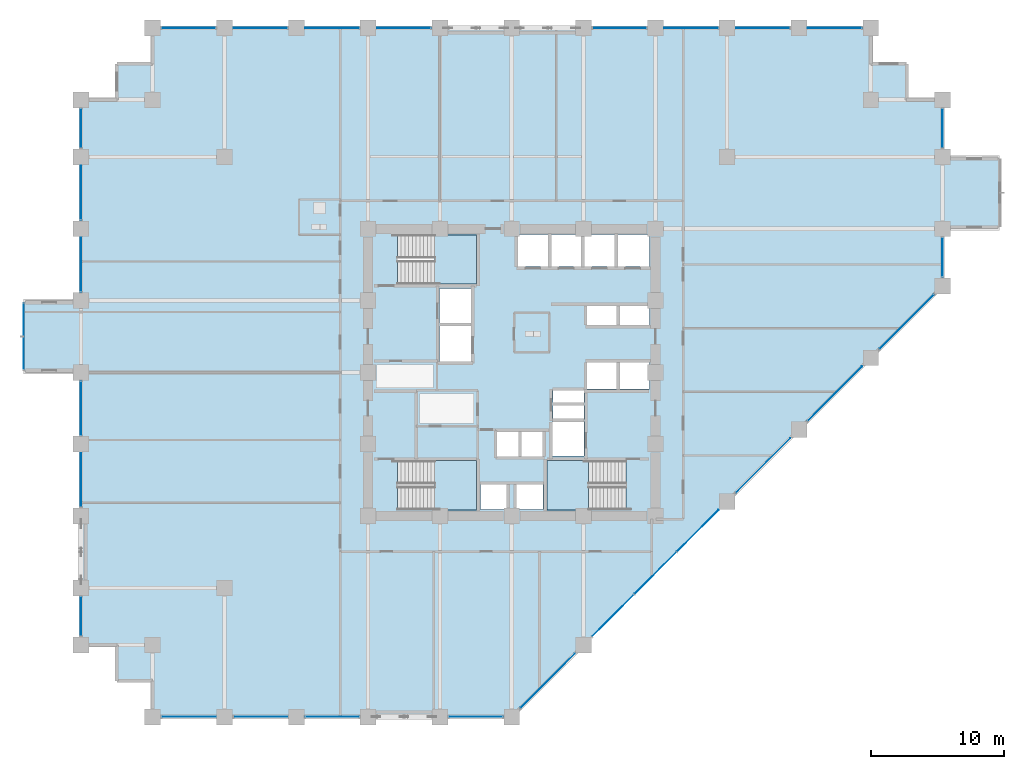
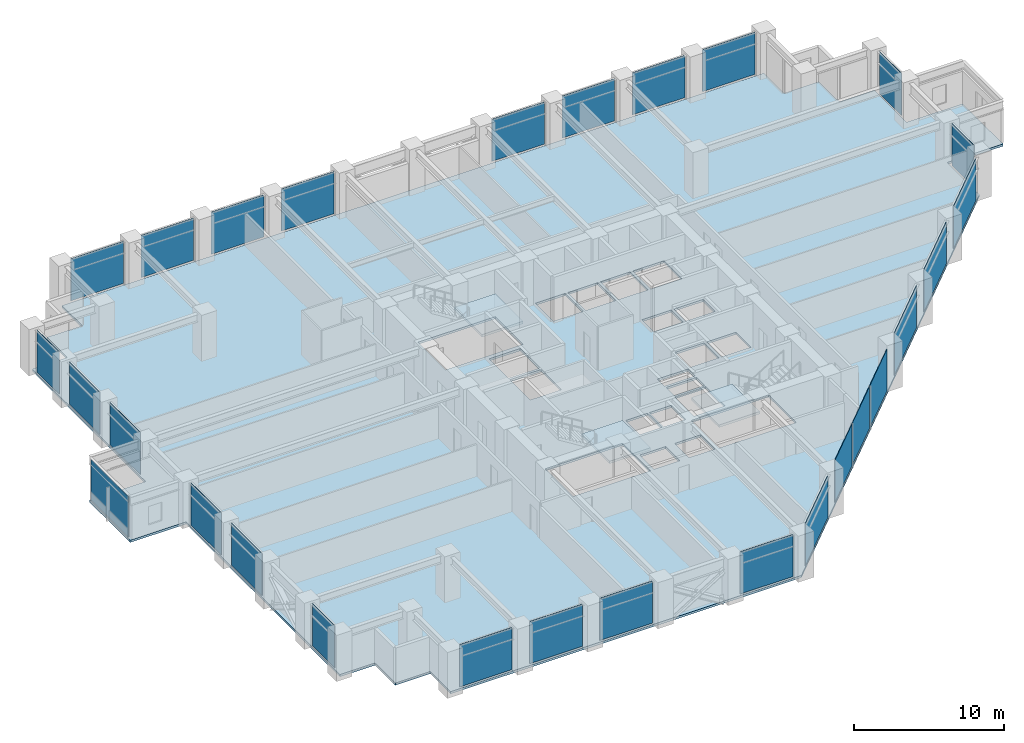
# One storey, part 19 of 28: 28 plates, 4 slabs, 14 elements without a shape of their own.
"""IFC4 building model written with IfcOpenShell, lengths in metres."""

from ifc_helpers import new_model, si_unit, direction, frame, frame_2d, origin, place, context, subcontext, project, spatial, polyline, rectangle, outline, extrude, material, layer, layer_set, type_object, element, aggregate, save


model = new_model("IFC4")

# Units and contexts
model_context = context("Model", 3, precision=1e-05, world=origin(), true_north=direction((0.0, 1.0)))
body_context = subcontext(model_context, "Body", "Model", "MODEL_VIEW")
ifc_project = project(units=[si_unit("LENGTHUNIT", "METRE"), si_unit("AREAUNIT", "SQUARE_METRE"), si_unit("VOLUMEUNIT", "CUBIC_METRE"), si_unit("PLANEANGLEUNIT", "RADIAN"), si_unit("MASSUNIT", "GRAM", prefix="KILO")], contexts=[model_context])

# Site, building, storey
site_placement = place(None, origin())
site = spatial("IfcSite", under=ifc_project, at=site_placement, CompositionType="ELEMENT")
building_placement = place(site_placement, origin())
building = spatial("IfcBuilding", under=site, at=building_placement, Name="Surkhivell Harbour Commons", CompositionType="ELEMENT")
storey_placement = place(building_placement, frame((0.0, 0.0, 67.5)))
storey = spatial("IfcBuildingStorey", under=building, at=storey_placement, Name="L17", CompositionType="ELEMENT", Elevation=67.5)

# Curtain wall, plate
ifc_material_1 = material(Name="Anodised pale-metal aluminium and insulated glazing", Category="aluminium")
ifc_layer_1 = layer(ifc_material_1, 0.1650390625)
ifc_layer_set_1 = layer_set([ifc_layer_1], Name="Anodised pale-metal aluminium and insulated glazing")
curtain_wall_type_1 = type_object("IfcCurtainWallType", Name="CW-SYS-BOX", PredefinedType="NOTDEFINED", material=ifc_layer_set_1)
curtain_wall_1_placement = place(storey_placement, origin())
curtain_wall_1 = element("IfcCurtainWall", 1, at=curtain_wall_1_placement, inside=storey, type_object=curtain_wall_type_1, Name="L17 Curtain Wall CW-L17-BOX02", PredefinedType="NOTDEFINED")
ifc_material_2 = material(Name="Triple-glazed bay-cluster vision glass", Category="glass")
ifc_layer_2 = layer(ifc_material_2, 0.028076171875)
ifc_layer_set_2 = layer_set([ifc_layer_2], Name="Triple-glazed bay-cluster vision glass")
plate_type_1 = type_object("IfcPlateType", Name="CWP-GLZ-28", PredefinedType="CURTAIN_PANEL", material=ifc_layer_set_2)
plate_1_placement = place(storey_placement, frame((-36.699951171875, 0.219970703125, 0.1298828125), z_axis=(0.0, 0.0, 1.0), x_axis=(0.0, 1.0, 0.0)))
plate_1 = element("IfcPlate", 2, at=plate_1_placement, type_object=plate_type_1, Name="CW-BOX panel 1.1", PredefinedType="CURTAIN_PANEL", context=body_context, shape_type="SweptSolid", body=[
    extrude(rectangle(XDim=4.9599609375, YDim=0.028076171875, at=frame_2d((2.47998046875, 0.0))), origin(), (0.0, 0.0, 1.0), 3.31005859375),
])
aggregate(curtain_wall_1, [plate_1])

# Curtain wall, plates
ifc_layer_3 = layer(ifc_material_1, 0.219970703125)
ifc_layer_set_3 = layer_set([ifc_layer_3], Name="Anodised pale-metal aluminium and insulated glazing")
curtain_wall_type_2 = type_object("IfcCurtainWallType", Name="CW-SYS-Z1", PredefinedType="NOTDEFINED", material=ifc_layer_set_3)
curtain_wall_2_placement = place(storey_placement, origin())
curtain_wall_2 = element("IfcCurtainWall", 3, at=curtain_wall_2_placement, inside=storey, type_object=curtain_wall_type_2, Name="L17 Curtain Wall CW-L17-E00S1", PredefinedType="NOTDEFINED")
ifc_material_3 = material(Name="Double-silver low-E laminated vision glass", Category="glass")
ifc_layer_4 = layer(ifc_material_3, 0.031982421875)
ifc_layer_set_4 = layer_set([ifc_layer_4], Name="Double-silver low-E laminated vision glass")
plate_type_2 = type_object("IfcPlateType", Name="CWP-GLZ-32", PredefinedType="CURTAIN_PANEL", material=ifc_layer_set_4)
plate_2_placement = place(storey_placement, frame((-26.322998046875, -25.89990234375, 0.14990234375), z_axis=(0.0, 0.0, 1.0), x_axis=(1.0, 0.0, 0.0)))
plate_2 = element("IfcPlate", 4, at=plate_2_placement, type_object=plate_type_2, Name="CW-Z1 panel 1.1", PredefinedType="CURTAIN_PANEL", context=body_context, shape_type="SweptSolid", body=[
    extrude(rectangle(XDim=4.0458984375, YDim=0.031982421875, at=frame_2d((2.02294921875, 0.0))), origin(), (0.0, 0.0, 1.0), 3.420166015625),
])
plate_3_placement = place(storey_placement, frame((-20.923095703125, -25.89990234375, 0.14990234375), z_axis=(0.0, 0.0, 1.0), x_axis=(1.0, 0.0, 0.0)))
plate_3 = element("IfcPlate", 5, at=plate_3_placement, type_object=plate_type_2, Name="CW-Z1 panel 2.1", PredefinedType="CURTAIN_PANEL", context=body_context, shape_type="SweptSolid", body=[
    extrude(rectangle(XDim=4.046142578125, YDim=0.031982421875, at=frame_2d((2.02294921875, 0.0))), origin(), (0.0, 0.0, 1.0), 3.420166015625),
])
plate_4_placement = place(storey_placement, frame((-15.52294921875, -25.89990234375, 0.14990234375), z_axis=(0.0, 0.0, 1.0), x_axis=(1.0, 0.0, 0.0)))
plate_4 = element("IfcPlate", 6, at=plate_4_placement, type_object=plate_type_2, Name="CW-Z1 panel 3.1", PredefinedType="CURTAIN_PANEL", context=body_context, shape_type="SweptSolid", body=[
    extrude(rectangle(XDim=4.0458984375, YDim=0.031982421875, at=frame_2d((2.02294921875, 0.0))), origin(), (0.0, 0.0, 1.0), 3.420166015625),
])
aggregate(curtain_wall_2, [plate_2, plate_3, plate_4])

# Curtain wall, plate
curtain_wall_3_placement = place(storey_placement, origin())
curtain_wall_3 = element("IfcCurtainWall", 7, at=curtain_wall_3_placement, inside=storey, type_object=curtain_wall_type_2, Name="L17 Curtain Wall CW-L17-E00S2", PredefinedType="NOTDEFINED")
plate_5_placement = place(storey_placement, frame((-4.722900390625, -25.89990234375, 0.14990234375), z_axis=(0.0, 0.0, 1.0), x_axis=(1.0, 0.0, 0.0)))
plate_5 = element("IfcPlate", 8, at=plate_5_placement, type_object=plate_type_2, Name="CW-Z1 panel 1.1", PredefinedType="CURTAIN_PANEL", context=body_context, shape_type="SweptSolid", body=[
    extrude(rectangle(XDim=4.0458984375, YDim=0.031982421875, at=frame_2d((2.02294921875, 0.0))), origin(), (0.0, 0.0, 1.0), 3.420166015625),
])
aggregate(curtain_wall_3, [plate_5])

# Curtain wall, plates
curtain_wall_4_placement = place(storey_placement, origin())
curtain_wall_4 = element("IfcCurtainWall", 9, at=curtain_wall_4_placement, inside=storey, type_object=curtain_wall_type_2, Name="L17 Curtain Wall CW-L17-E01", PredefinedType="NOTDEFINED")
plate_6_placement = place(storey_placement, frame((0.65478515625, -25.2451171875, 0.14990234375), z_axis=(0.0, 0.0, 1.0), x_axis=(0.707106781187, 0.707106781187, 0.0)))
plate_6 = element("IfcPlate", 10, at=plate_6_placement, type_object=plate_type_2, Name="CW-Z1 panel 1.1", PredefinedType="CURTAIN_PANEL", context=body_context, shape_type="SweptSolid", body=[
    extrude(rectangle(XDim=5.78466796875, YDim=0.031982421875, at=frame_2d((2.892333984375, 0.0))), origin(), (0.0, 0.0, 1.0), 3.420166015625),
])
plate_7_placement = place(storey_placement, frame((6.0546875, -19.84521484375, 0.14990234375), z_axis=(0.0, 0.0, 1.0), x_axis=(0.707106781187, 0.707106781187, 0.0)))
plate_7 = element("IfcPlate", 11, at=plate_7_placement, type_object=plate_type_2, Name="CW-Z1 panel 2.1", PredefinedType="CURTAIN_PANEL", context=body_context, shape_type="SweptSolid", body=[
    extrude(rectangle(XDim=4.411376953125, YDim=0.031982421875, at=frame_2d((2.20556640625, 0.0))), origin(), (0.0, 0.0, 1.0), 3.420166015625),
])
plate_8_placement = place(storey_placement, frame((9.22705078125, -16.6728515625, 0.14990234375), z_axis=(0.0, 0.0, 1.0), x_axis=(0.707106781187, 0.707106781187, 0.0)))
plate_8 = element("IfcPlate", 12, at=plate_8_placement, type_object=plate_type_2, Name="CW-Z1 panel 3.1", PredefinedType="CURTAIN_PANEL", context=body_context, shape_type="SweptSolid", body=[
    extrude(rectangle(XDim=4.44873046875, YDim=0.031982421875, at=frame_2d((2.224365234375, 0.0))), origin(), (0.0, 0.0, 1.0), 3.420166015625),
])
plate_9_placement = place(storey_placement, frame((12.426025390625, -13.47412109375, 0.14990234375), z_axis=(0.0, 0.0, 1.0), x_axis=(0.707079108482, 0.707134452808, 0.0)))
plate_9 = element("IfcPlate", 13, at=plate_9_placement, type_object=plate_type_2, Name="CW-Z1 panel 4.1", PredefinedType="CURTAIN_PANEL", context=body_context, shape_type="SweptSolid", body=[
    extrude(rectangle(XDim=4.411376953125, YDim=0.031982421875, at=frame_2d((2.20556640625, 0.0))), origin(), (0.0, 0.0, 1.0), 3.420166015625),
])
plate_10_placement = place(storey_placement, frame((16.854736328125, -9.045166015625, 0.14990234375), z_axis=(0.0, 0.0, 1.0), x_axis=(0.707127882868, 0.707085678876, 0.0)))
plate_10 = element("IfcPlate", 14, at=plate_10_placement, type_object=plate_type_2, Name="CW-Z1 panel 5.1", PredefinedType="CURTAIN_PANEL", context=body_context, shape_type="SweptSolid", body=[
    extrude(rectangle(XDim=5.78466796875, YDim=0.031982421875, at=frame_2d((2.892333984375, 0.0))), origin(), (0.0, 0.0, 1.0), 3.420166015625),
])
plate_11_placement = place(storey_placement, frame((22.2548828125, -3.645263671875, 0.14990234375), z_axis=(0.0, 0.0, 1.0), x_axis=(0.707085678876, 0.707127882868, 0.0)))
plate_11 = element("IfcPlate", 15, at=plate_11_placement, type_object=plate_type_2, Name="CW-Z1 panel 6.1", PredefinedType="CURTAIN_PANEL", context=body_context, shape_type="SweptSolid", body=[
    extrude(rectangle(XDim=5.78466796875, YDim=0.031982421875, at=frame_2d((2.892333984375, 0.0))), origin(), (0.0, 0.0, 1.0), 3.420166015625),
])
plate_12_placement = place(storey_placement, frame((27.65478515625, 1.7548828125, 0.14990234375), z_axis=(0.0, 0.0, 1.0), x_axis=(0.707106781187, 0.707106781187, 0.0)))
plate_12 = element("IfcPlate", 16, at=plate_12_placement, type_object=plate_type_2, Name="CW-Z1 panel 7.1", PredefinedType="CURTAIN_PANEL", context=body_context, shape_type="SweptSolid", body=[
    extrude(rectangle(XDim=5.78466796875, YDim=0.031982421875, at=frame_2d((2.892333984375, 0.0))), origin(), (0.0, 0.0, 1.0), 3.420166015625),
])
aggregate(curtain_wall_4, [plate_6, plate_7, plate_8, plate_9, plate_10, plate_11, plate_12])

# Curtain wall, plate
curtain_wall_5_placement = place(storey_placement, origin())
curtain_wall_5 = element("IfcCurtainWall", 17, at=curtain_wall_5_placement, inside=storey, type_object=curtain_wall_type_2, Name="L17 Curtain Wall CW-L17-E02R1", PredefinedType="NOTDEFINED")
plate_13_placement = place(storey_placement, frame((32.39990234375, 7.177001953125, 0.14990234375), z_axis=(0.0, 0.0, 1.0), x_axis=(0.0, 1.0, 0.0)))
plate_13 = element("IfcPlate", 18, at=plate_13_placement, type_object=plate_type_2, Name="CW-Z1 panel 1.1", PredefinedType="CURTAIN_PANEL", context=body_context, shape_type="SweptSolid", body=[
    extrude(rectangle(XDim=2.946044921875, YDim=0.031982421875, at=frame_2d((1.47314453125, 0.0))), origin(), (0.0, 0.0, 1.0), 3.420166015625),
])
aggregate(curtain_wall_5, [plate_13])

curtain_wall_6_placement = place(storey_placement, origin())
curtain_wall_6 = element("IfcCurtainWall", 19, at=curtain_wall_6_placement, inside=storey, type_object=curtain_wall_type_2, Name="L17 Curtain Wall CW-L17-E02R2", PredefinedType="NOTDEFINED")
plate_14_placement = place(storey_placement, frame((32.39990234375, 16.876953125, 0.14990234375), z_axis=(0.0, 0.0, 1.0), x_axis=(0.0, 1.0, 0.0)))
plate_14 = element("IfcPlate", 20, at=plate_14_placement, type_object=plate_type_2, Name="CW-Z1 panel 1.1", PredefinedType="CURTAIN_PANEL", context=body_context, shape_type="SweptSolid", body=[
    extrude(rectangle(XDim=2.946044921875, YDim=0.031982421875, at=frame_2d((1.47314453125, 0.0))), origin(), (0.0, 0.0, 1.0), 3.420166015625),
])
aggregate(curtain_wall_6, [plate_14])

# Curtain wall, plates
curtain_wall_7_placement = place(storey_placement, origin())
curtain_wall_7 = element("IfcCurtainWall", 21, at=curtain_wall_7_placement, inside=storey, type_object=curtain_wall_type_2, Name="L17 Curtain Wall CW-L17-E07S1", PredefinedType="NOTDEFINED")
plate_15_placement = place(storey_placement, frame((26.322998046875, 25.89990234375, 0.14990234375), z_axis=(0.0, 0.0, 1.0), x_axis=(-1.0, 0.0, 0.0)))
plate_15 = element("IfcPlate", 22, at=plate_15_placement, type_object=plate_type_2, Name="CW-Z1 panel 1.1", PredefinedType="CURTAIN_PANEL", context=body_context, shape_type="SweptSolid", body=[
    extrude(rectangle(XDim=4.0458984375, YDim=0.031982421875, at=frame_2d((2.02294921875, 0.0))), origin(), (0.0, 0.0, 1.0), 3.420166015625),
])
plate_16_placement = place(storey_placement, frame((20.923095703125, 25.89990234375, 0.14990234375), z_axis=(0.0, 0.0, 1.0), x_axis=(-1.0, 0.0, 0.0)))
plate_16 = element("IfcPlate", 23, at=plate_16_placement, type_object=plate_type_2, Name="CW-Z1 panel 2.1", PredefinedType="CURTAIN_PANEL", context=body_context, shape_type="SweptSolid", body=[
    extrude(rectangle(XDim=4.046142578125, YDim=0.031982421875, at=frame_2d((2.02294921875, 0.0))), origin(), (0.0, 0.0, 1.0), 3.420166015625),
])
plate_17_placement = place(storey_placement, frame((15.52294921875, 25.89990234375, 0.14990234375), z_axis=(0.0, 0.0, 1.0), x_axis=(-1.0, 0.0, 0.0)))
plate_17 = element("IfcPlate", 24, at=plate_17_placement, type_object=plate_type_2, Name="CW-Z1 panel 3.1", PredefinedType="CURTAIN_PANEL", context=body_context, shape_type="SweptSolid", body=[
    extrude(rectangle(XDim=4.0458984375, YDim=0.031982421875, at=frame_2d((2.02294921875, 0.0))), origin(), (0.0, 0.0, 1.0), 3.420166015625),
])
plate_18_placement = place(storey_placement, frame((10.123046875, 25.89990234375, 0.14990234375), z_axis=(0.0, 0.0, 1.0), x_axis=(-1.0, 0.0, 0.0)))
plate_18 = element("IfcPlate", 25, at=plate_18_placement, type_object=plate_type_2, Name="CW-Z1 panel 4.1", PredefinedType="CURTAIN_PANEL", context=body_context, shape_type="SweptSolid", body=[
    extrude(rectangle(XDim=4.046142578125, YDim=0.031982421875, at=frame_2d((2.02294921875, 0.0))), origin(), (0.0, 0.0, 1.0), 3.420166015625),
])
aggregate(curtain_wall_7, [plate_15, plate_16, plate_17, plate_18])

curtain_wall_8_placement = place(storey_placement, origin())
curtain_wall_8 = element("IfcCurtainWall", 26, at=curtain_wall_8_placement, inside=storey, type_object=curtain_wall_type_2, Name="L17 Curtain Wall CW-L17-E07S2", PredefinedType="NOTDEFINED")
plate_19_placement = place(storey_placement, frame((-6.076904296875, 25.89990234375, 0.14990234375), z_axis=(0.0, 0.0, 1.0), x_axis=(-1.0, 0.0, 0.0)))
plate_19 = element("IfcPlate", 27, at=plate_19_placement, type_object=plate_type_2, Name="CW-Z1 panel 1.1", PredefinedType="CURTAIN_PANEL", context=body_context, shape_type="SweptSolid", body=[
    extrude(rectangle(XDim=4.046142578125, YDim=0.031982421875, at=frame_2d((2.02294921875, 0.0))), origin(), (0.0, 0.0, 1.0), 3.420166015625),
])
plate_20_placement = place(storey_placement, frame((-11.47705078125, 25.89990234375, 0.14990234375), z_axis=(0.0, 0.0, 1.0), x_axis=(-1.0, 0.0, 0.0)))
plate_20 = element("IfcPlate", 28, at=plate_20_placement, type_object=plate_type_2, Name="CW-Z1 panel 2.1", PredefinedType="CURTAIN_PANEL", context=body_context, shape_type="SweptSolid", body=[
    extrude(rectangle(XDim=4.0458984375, YDim=0.031982421875, at=frame_2d((2.02294921875, 0.0))), origin(), (0.0, 0.0, 1.0), 3.420166015625),
])
plate_21_placement = place(storey_placement, frame((-16.876953125, 25.89990234375, 0.14990234375), z_axis=(0.0, 0.0, 1.0), x_axis=(-1.0, 0.0, 0.0)))
plate_21 = element("IfcPlate", 29, at=plate_21_placement, type_object=plate_type_2, Name="CW-Z1 panel 3.1", PredefinedType="CURTAIN_PANEL", context=body_context, shape_type="SweptSolid", body=[
    extrude(rectangle(XDim=4.046142578125, YDim=0.031982421875, at=frame_2d((2.02294921875, 0.0))), origin(), (0.0, 0.0, 1.0), 3.420166015625),
])
plate_22_placement = place(storey_placement, frame((-22.277099609375, 25.89990234375, 0.14990234375), z_axis=(0.0, 0.0, 1.0), x_axis=(-1.0, 0.0, 0.0)))
plate_22 = element("IfcPlate", 30, at=plate_22_placement, type_object=plate_type_2, Name="CW-Z1 panel 4.1", PredefinedType="CURTAIN_PANEL", context=body_context, shape_type="SweptSolid", body=[
    extrude(rectangle(XDim=4.0458984375, YDim=0.031982421875, at=frame_2d((2.02294921875, 0.0))), origin(), (0.0, 0.0, 1.0), 3.420166015625),
])
aggregate(curtain_wall_8, [plate_19, plate_20, plate_21, plate_22])

# Curtain wall, plate
curtain_wall_9_placement = place(storey_placement, origin())
curtain_wall_9 = element("IfcCurtainWall", 31, at=curtain_wall_9_placement, inside=storey, type_object=curtain_wall_type_2, Name="L17 Curtain Wall CW-L17-E12R1S1", PredefinedType="NOTDEFINED")
plate_23_placement = place(storey_placement, frame((-32.39990234375, -19.822998046875, 0.14990234375), z_axis=(0.0, 0.0, 1.0), x_axis=(0.0, 1.0, 0.0)))
plate_23 = element("IfcPlate", 32, at=plate_23_placement, type_object=plate_type_2, Name="CW-Z1 panel 1.1", PredefinedType="CURTAIN_PANEL", context=body_context, shape_type="SweptSolid", body=[
    extrude(rectangle(XDim=2.946044921875, YDim=0.031982421875, at=frame_2d((1.47314453125, 0.0))), origin(), (0.0, 0.0, 1.0), 3.420166015625),
])
aggregate(curtain_wall_9, [plate_23])

# Curtain wall, plates
curtain_wall_10_placement = place(storey_placement, origin())
curtain_wall_10 = element("IfcCurtainWall", 33, at=curtain_wall_10_placement, inside=storey, type_object=curtain_wall_type_2, Name="L17 Curtain Wall CW-L17-E12R1S2", PredefinedType="NOTDEFINED")
plate_24_placement = place(storey_placement, frame((-32.39990234375, -10.123046875, 0.14990234375), z_axis=(0.0, 0.0, 1.0), x_axis=(0.0, 1.0, 0.0)))
plate_24 = element("IfcPlate", 34, at=plate_24_placement, type_object=plate_type_2, Name="CW-Z1 panel 1.1", PredefinedType="CURTAIN_PANEL", context=body_context, shape_type="SweptSolid", body=[
    extrude(rectangle(XDim=4.046142578125, YDim=0.031982421875, at=frame_2d((2.02294921875, 0.0))), origin(), (0.0, 0.0, 1.0), 3.420166015625),
])
plate_25_placement = place(storey_placement, frame((-32.39990234375, -4.722900390625, 0.14990234375), z_axis=(0.0, 0.0, 1.0), x_axis=(0.0, 1.0, 0.0)))
plate_25 = element("IfcPlate", 35, at=plate_25_placement, type_object=plate_type_2, Name="CW-Z1 panel 2.1", PredefinedType="CURTAIN_PANEL", context=body_context, shape_type="SweptSolid", body=[
    extrude(rectangle(XDim=4.0458984375, YDim=0.031982421875, at=frame_2d((2.02294921875, 0.0))), origin(), (0.0, 0.0, 1.0), 3.420166015625),
])
aggregate(curtain_wall_10, [plate_24, plate_25])

curtain_wall_11_placement = place(storey_placement, origin())
curtain_wall_11 = element("IfcCurtainWall", 36, at=curtain_wall_11_placement, inside=storey, type_object=curtain_wall_type_2, Name="L17 Curtain Wall CW-L17-E12R2", PredefinedType="NOTDEFINED")
plate_26_placement = place(storey_placement, frame((-32.39990234375, 6.076904296875, 0.14990234375), z_axis=(0.0, 0.0, 1.0), x_axis=(0.0, 1.0, 0.0)))
plate_26 = element("IfcPlate", 37, at=plate_26_placement, type_object=plate_type_2, Name="CW-Z1 panel 1.1", PredefinedType="CURTAIN_PANEL", context=body_context, shape_type="SweptSolid", body=[
    extrude(rectangle(XDim=4.046142578125, YDim=0.031982421875, at=frame_2d((2.02294921875, 0.0))), origin(), (0.0, 0.0, 1.0), 3.420166015625),
])
plate_27_placement = place(storey_placement, frame((-32.39990234375, 11.47705078125, 0.14990234375), z_axis=(0.0, 0.0, 1.0), x_axis=(0.0, 1.0, 0.0)))
plate_27 = element("IfcPlate", 38, at=plate_27_placement, type_object=plate_type_2, Name="CW-Z1 panel 2.1", PredefinedType="CURTAIN_PANEL", context=body_context, shape_type="SweptSolid", body=[
    extrude(rectangle(XDim=4.0458984375, YDim=0.031982421875, at=frame_2d((2.02294921875, 0.0))), origin(), (0.0, 0.0, 1.0), 3.420166015625),
])
plate_28_placement = place(storey_placement, frame((-32.39990234375, 16.876953125, 0.14990234375), z_axis=(0.0, 0.0, 1.0), x_axis=(0.0, 1.0, 0.0)))
plate_28 = element("IfcPlate", 39, at=plate_28_placement, type_object=plate_type_2, Name="CW-Z1 panel 3.1", PredefinedType="CURTAIN_PANEL", context=body_context, shape_type="SweptSolid", body=[
    extrude(rectangle(XDim=2.946044921875, YDim=0.031982421875, at=frame_2d((1.47314453125, 0.0))), origin(), (0.0, 0.0, 1.0), 3.420166015625),
])
aggregate(curtain_wall_11, [plate_26, plate_27, plate_28])

# Stair, slab
ifc_material_4 = material(Name="Precast concrete C45/55", Category="concrete")
stair_type = type_object("IfcStairType", Name="STR-DL-375", PredefinedType="HALF_TURN_STAIR", material=ifc_material_4)
stair_1_placement = place(storey_placement, origin())
stair_1 = element("IfcStair", 40, at=stair_1_placement, inside=storey, type_object=stair_type, Name="L17 Core Exit Stair ST1", PredefinedType="HALF_TURN_STAIR")
ifc_material_5 = material(Name="Reinforced concrete C45/55", Category="concrete")
ifc_layer_5 = layer(ifc_material_5, 0.199951171875)
ifc_layer_set_5 = layer_set([ifc_layer_5], Name="Reinforced concrete C45/55")
slab_type_1 = type_object("IfcSlabType", Name="SLB-ST-LND200", PredefinedType="LANDING", material=ifc_layer_set_5)
slab_1_placement = place(storey_placement, frame((0.0, 0.0, 1.675048828125)))
slab_1 = element("IfcSlab", 41, at=slab_1_placement, type_object=slab_type_1, Name="ST1 landing 1", PredefinedType="LANDING", context=body_context, shape_type="SweptSolid", body=[
    extrude(outline(polyline([(-5.7900390625, 6.639892578125), (-2.639892578125, 6.639892578125), (-2.639892578125, 10.340087890625), (-5.7900390625, 10.340087890625), (-5.7900390625, 6.639892578125)])), origin(), (0.0, 0.0, 1.0), 0.199951171875),
])
aggregate(stair_1, [slab_1])

stair_2_placement = place(storey_placement, origin())
stair_2 = element("IfcStair", 42, at=stair_2_placement, inside=storey, type_object=stair_type, Name="L17 Core Exit Stair ST2", PredefinedType="HALF_TURN_STAIR")
slab_2_placement = place(storey_placement, frame((0.0, 0.0, 1.675048828125)))
slab_2 = element("IfcSlab", 43, at=slab_2_placement, type_object=slab_type_1, Name="ST2 landing 1", PredefinedType="LANDING", context=body_context, shape_type="SweptSolid", body=[
    extrude(outline(polyline([(5.7900390625, -6.639892578125), (2.639892578125, -6.639892578125), (2.639892578125, -10.340087890625), (5.7900390625, -10.340087890625), (5.7900390625, -6.639892578125)])), origin(), (0.0, 0.0, 1.0), 0.199951171875),
])
aggregate(stair_2, [slab_2])

stair_3_placement = place(storey_placement, origin())
stair_3 = element("IfcStair", 44, at=stair_3_placement, inside=storey, type_object=stair_type, Name="L17 Core Exit Stair ST3", PredefinedType="HALF_TURN_STAIR")
slab_3_placement = place(storey_placement, frame((0.0, 0.0, 1.675048828125)))
slab_3 = element("IfcSlab", 45, at=slab_3_placement, type_object=slab_type_1, Name="ST3 landing 1", PredefinedType="LANDING", context=body_context, shape_type="SweptSolid", body=[
    extrude(outline(polyline([(-5.7900390625, -10.340087890625), (-2.639892578125, -10.340087890625), (-2.639892578125, -6.639892578125), (-5.7900390625, -6.639892578125), (-5.7900390625, -10.340087890625)])), origin(), (0.0, 0.0, 1.0), 0.199951171875),
])
aggregate(stair_3, [slab_3])

# Slab
ifc_material_6 = material(Name="Concrete C45/55", Category="concrete")
ifc_layer_6 = layer(ifc_material_6, 0.179931640625)
ifc_layer_set_6 = layer_set([ifc_layer_6], Name="Concrete C45/55")
slab_type_2 = type_object("IfcSlabType", Name="SLB-TYP-180", PredefinedType="FLOOR", material=ifc_layer_set_6)
slab_4_placement = place(storey_placement, frame((0.0, 0.0, -0.179931640625)))
element("IfcSlab", 46, at=slab_4_placement, inside=storey, type_object=slab_type_2, Name="L17 Structural Floor Slab", PredefinedType="FLOOR", context=body_context, shape_type="SweptSolid", body=[
    extrude(outline(polyline([(-32.39990234375, 20.5), (-32.39990234375, 5.39990234375), (-36.699951171875, 5.39990234375), (-36.699951171875, 0.0), (-32.39990234375, 0.0), (-32.39990234375, -20.5), (-29.699951171875, -20.5), (-29.699951171875, -23.199951171875), (-27.0, -23.199951171875), (-27.0, -25.89990234375), (0.0, -25.89990234375), (32.39990234375, 6.5), (32.39990234375, 10.800048828125), (36.699951171875, 10.800048828125), (36.699951171875, 16.199951171875), (32.39990234375, 16.199951171875), (32.39990234375, 20.5), (29.699951171875, 20.5), (29.699951171875, 23.199951171875), (27.0, 23.199951171875), (27.0, 25.89990234375), (-27.0, 25.89990234375), (-27.0, 23.199951171875), (-29.699951171875, 23.199951171875), (-29.699951171875, 20.5), (-32.39990234375, 20.5)]), holes=[polyline([(-8.590087890625, 6.639892578125), (-2.639892578125, 6.639892578125), (-2.639892578125, 10.340087890625), (-8.590087890625, 10.340087890625), (-8.590087890625, 6.639892578125)]), polyline([(8.590087890625, -6.639892578125), (2.639892578125, -6.639892578125), (2.639892578125, -10.340087890625), (8.590087890625, -10.340087890625), (8.590087890625, -6.639892578125)]), polyline([(-8.590087890625, -10.340087890625), (-2.639892578125, -10.340087890625), (-2.639892578125, -6.639892578125), (-8.590087890625, -6.639892578125), (-8.590087890625, -10.340087890625)]), polyline([(0.449951171875, 7.949951171875), (2.75, 7.949951171875), (2.75, 10.35009765625), (0.449951171875, 10.35009765625), (0.449951171875, 7.949951171875)]), polyline([(2.949951171875, 7.949951171875), (5.25, 7.949951171875), (5.25, 10.35009765625), (2.949951171875, 10.35009765625), (2.949951171875, 7.949951171875)]), polyline([(5.449951171875, 7.949951171875), (7.75, 7.949951171875), (7.75, 10.35009765625), (5.449951171875, 10.35009765625), (5.449951171875, 7.949951171875)]), polyline([(7.949951171875, 7.949951171875), (10.35009765625, 7.949951171875), (10.35009765625, 10.35009765625), (7.949951171875, 10.35009765625), (7.949951171875, 7.949951171875)]), polyline([(5.64990234375, 3.550048828125), (7.89990234375, 3.550048828125), (7.89990234375, 5.14990234375), (5.64990234375, 5.14990234375), (5.64990234375, 3.550048828125)]), polyline([(8.10009765625, 3.550048828125), (10.35009765625, 3.550048828125), (10.35009765625, 5.14990234375), (8.10009765625, 5.14990234375), (8.10009765625, 3.550048828125)]), polyline([(5.64990234375, -1.25), (7.89990234375, -1.25), (7.89990234375, 0.75), (5.64990234375, 0.75), (5.64990234375, -1.25)]), polyline([(8.10009765625, -1.25), (10.35009765625, -1.25), (10.35009765625, 0.75), (8.10009765625, 0.75), (8.10009765625, -1.25)]), polyline([(-1.14990234375, -6.35009765625), (0.550048828125, -6.35009765625), (0.550048828125, -4.449951171875), (-1.14990234375, -4.449951171875), (-1.14990234375, -6.35009765625)]), polyline([(0.679931640625, -6.35009765625), (2.3798828125, -6.35009765625), (2.3798828125, -4.449951171875), (0.679931640625, -4.449951171875), (0.679931640625, -6.35009765625)]), polyline([(-2.35009765625, -10.300048828125), (-0.35009765625, -10.300048828125), (-0.35009765625, -8.39990234375), (-2.35009765625, -8.39990234375), (-2.35009765625, -10.300048828125)]), polyline([(0.35009765625, -10.300048828125), (2.35009765625, -10.300048828125), (2.35009765625, -8.39990234375), (0.35009765625, -8.39990234375), (0.35009765625, -10.300048828125)]), polyline([(-5.449951171875, 3.699951171875), (-3.050048828125, 3.699951171875), (-3.050048828125, 6.300048828125), (-5.449951171875, 6.300048828125), (-5.449951171875, 3.699951171875)]), polyline([(3.050048828125, -6.300048828125), (5.449951171875, -6.300048828125), (5.449951171875, -3.699951171875), (3.050048828125, -3.699951171875), (3.050048828125, -6.300048828125)]), polyline([(-5.449951171875, 0.800048828125), (-3.050048828125, 0.800048828125), (-3.050048828125, 3.5), (-5.449951171875, 3.5), (-5.449951171875, 0.800048828125)]), polyline([(3.10009765625, -3.550048828125), (5.449951171875, -3.550048828125), (5.449951171875, -2.47998046875), (3.10009765625, -2.47998046875), (3.10009765625, -3.550048828125)]), polyline([(3.10009765625, -2.280029296875), (5.449951171875, -2.280029296875), (5.449951171875, -1.35009765625), (3.10009765625, -1.35009765625), (3.10009765625, -2.280029296875)])]), origin(), (0.0, 0.0, 1.0), 0.179931640625),
])

save(model, "model.ifc")
